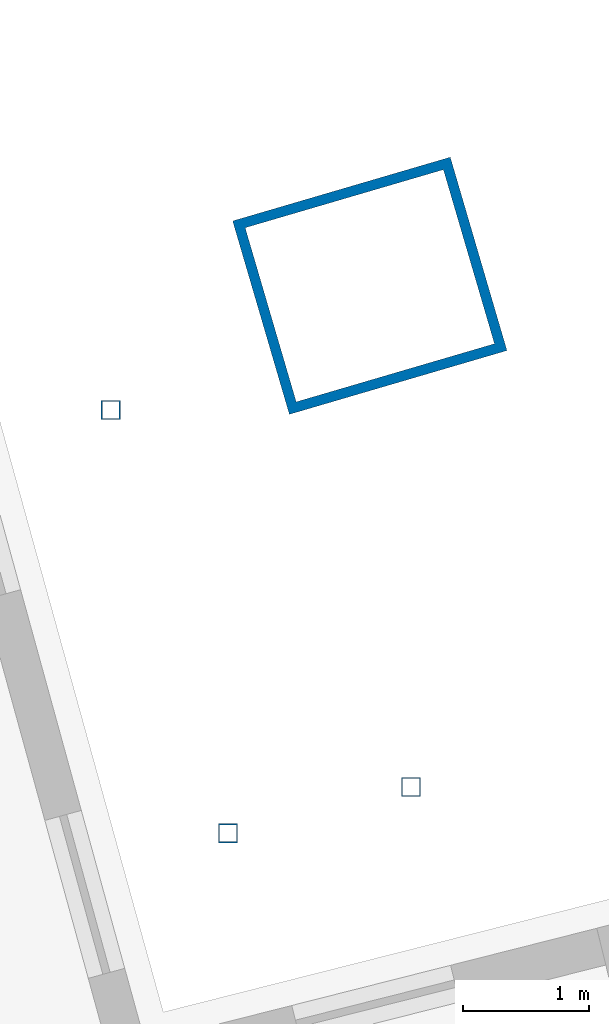
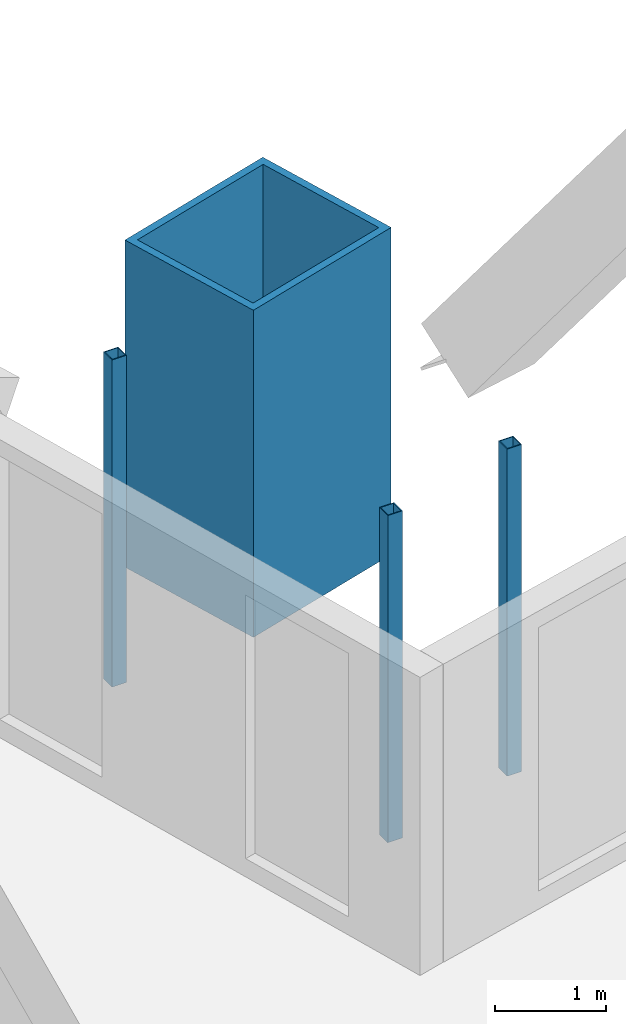
# One storey, part 9 of 22: 4 columns.
"""IFC4 building model written with IfcOpenShell, lengths in metres."""

from ifc_helpers import new_model, si_unit, direction, frame, origin, origin_2d, place, context, subcontext, project, spatial, hollow_rectangle, extrude, material, material_profile, profile_set, type_object, element, save


model = new_model("IFC4")

# Units and contexts
model_context = context("Model", 3, precision=1e-05, world=origin(), true_north=direction((0.0, 1.0)))
body_context = subcontext(model_context, "Body", "Model", "MODEL_VIEW")
ifc_project = project(units=[si_unit("LENGTHUNIT", "METRE"), si_unit("AREAUNIT", "SQUARE_METRE"), si_unit("VOLUMEUNIT", "CUBIC_METRE"), si_unit("PLANEANGLEUNIT", "RADIAN"), si_unit("MASSUNIT", "GRAM", prefix="KILO")], contexts=[model_context])

# Site, building, storey
site_placement = place(None, origin())
site = spatial("IfcSite", under=ifc_project, at=site_placement, CompositionType="ELEMENT")
building_placement = place(site_placement, origin())
building = spatial("IfcBuilding", under=site, at=building_placement, Name="Alderwake Tower", CompositionType="ELEMENT")
storey_placement = place(building_placement, frame((0.0, 0.0, 160.39990234375)))
storey = spatial("IfcBuildingStorey", under=building, at=storey_placement, Name="L39", CompositionType="ELEMENT", Elevation=160.39990234375)

# Columns
ifc_material_1 = material(Name="Steel ASTM A500 Grade C", Category="steel")
ifc_material_profile_1 = material_profile(ifc_material_1, hollow_rectangle(XDim=0.15234375, YDim=0.15234375, WallThickness=0.0087890625, at=origin_2d()), Name="HSS6X6X3/8")
ifc_profile_set_1 = profile_set([ifc_material_profile_1], Name="Steel ASTM A500 Grade C")
column_type_1 = type_object("IfcColumnType", Name="Light post HSS6X6X3/8", PredefinedType="COLUMN", material=ifc_profile_set_1)
for number, where, z_axis, x_axis, name in (
    (1, (53.807861328125, 96.159423828125, 0.0), (0.0, 0.0, 1.0), (1.0, 0.0, 0.0), "Terrace post FN1"),
    (2, (51.42431640625, 99.152099609375, 0.0), (0.0, 0.0, 1.0), (1.0, 0.0, 0.0), "Terrace post FN2"),
    (3, (52.353759765625, 95.791259765625, 0.0), (0.0, 0.0, 1.0), (1.0, 0.0, 0.0), "Terrace post FN3"),
):
    element("IfcColumn", number, at=place(storey_placement, frame(where, z_axis=z_axis, x_axis=x_axis)), inside=storey, type_object=column_type_1, Name=name, PredefinedType="COLUMN", context=body_context, shape_type="SweptSolid", body=[
        extrude(hollow_rectangle(XDim=0.15234375, YDim=0.15234375, WallThickness=0.0087890625, at=origin_2d()), origin(), (0.0, 0.0, 1.0), 3.60009765625),
    ])
ifc_material_2 = material(Name="Steel ASTM A572 Grade 50 concrete filled C70/85", Category="concrete")
ifc_material_profile_2 = material_profile(ifc_material_2, hollow_rectangle(XDim=1.60009765625, YDim=1.800048828125, WallThickness=0.080078125, at=origin_2d()), Name="BOX 1800X1600X80")
ifc_profile_set_2 = profile_set([ifc_material_profile_2], Name="Steel ASTM A572 Grade 50 concrete filled C70/85")
column_type_2 = type_object("IfcColumnType", Name="Mega column Z3", PredefinedType="COLUMN", material=ifc_profile_set_2)
column_placement = place(storey_placement, frame((53.480712890625, 100.13720703125, 0.0), z_axis=(0.0, 0.0, 1.0), x_axis=(-0.281360158561, 0.959602241126, 0.0)))
element("IfcColumn", 4, at=column_placement, inside=storey, type_object=column_type_2, Name="Column R12-C5", PredefinedType="COLUMN", context=body_context, shape_type="SweptSolid", body=[
    extrude(hollow_rectangle(XDim=1.60009765625, YDim=1.800048828125, WallThickness=0.080078125, at=origin_2d()), origin(), (0.0, 0.0, 1.0), 3.60009765625),
])

save(model, "model.ifc")
